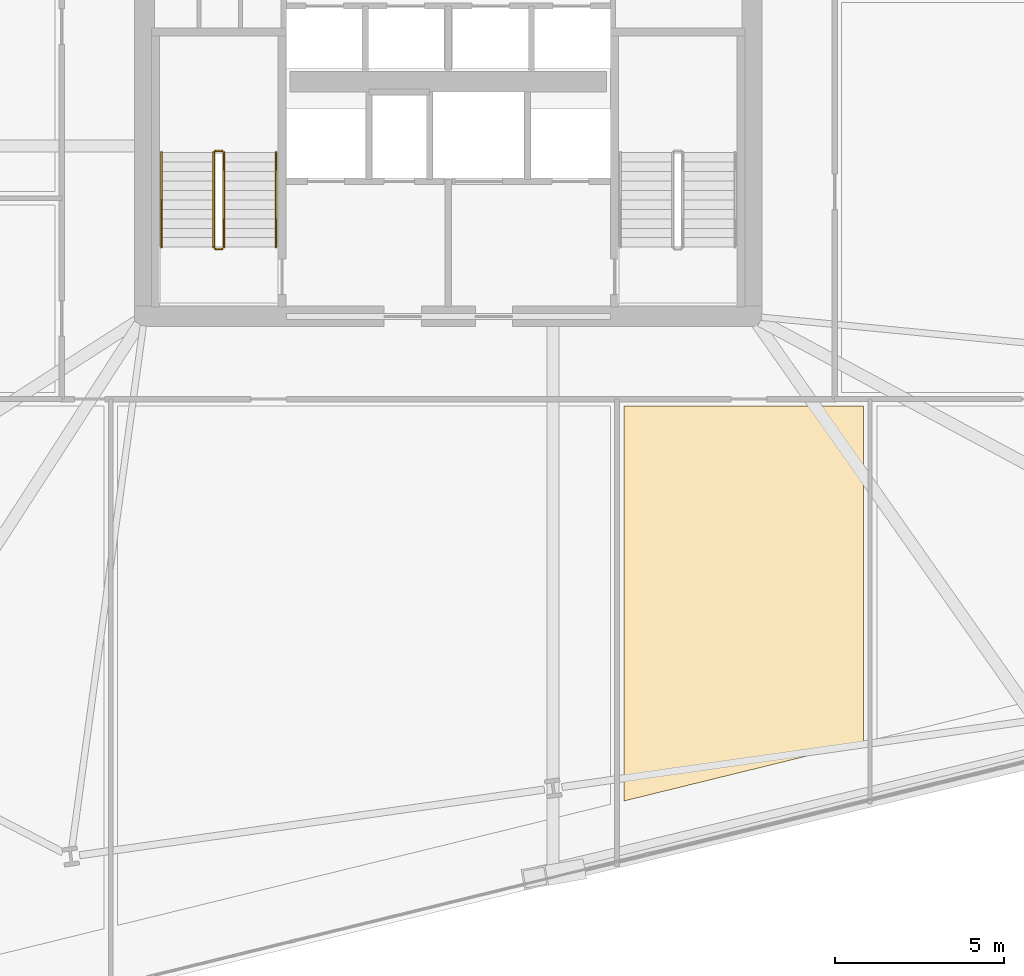
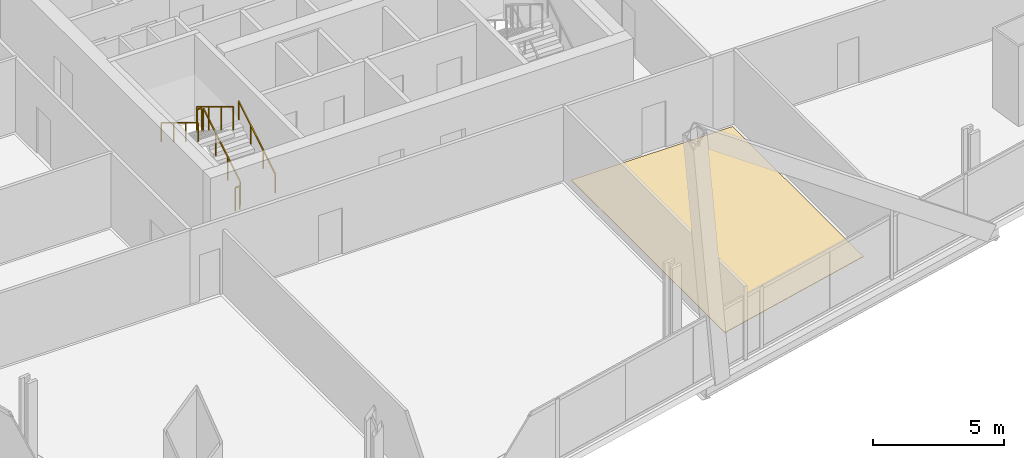
# One storey, part 29 of 32: 6 railings, 1 covering.
"""IFC4 building model written with IfcOpenShell, lengths in metres."""

from ifc_helpers import new_model, si_unit, direction, frame, origin, origin_2d, place, context, subcontext, project, spatial, polyline, rectangle, outline, extrude, material, layer, layer_set, type_object, element, save


model = new_model("IFC4")

# Units and contexts
model_context = context("Model", 3, precision=1e-05, world=origin(), true_north=direction((0.0, 1.0)))
body_context = subcontext(model_context, "Body", "Model", "MODEL_VIEW")
ifc_project = project(units=[si_unit("LENGTHUNIT", "METRE"), si_unit("AREAUNIT", "SQUARE_METRE"), si_unit("VOLUMEUNIT", "CUBIC_METRE"), si_unit("PLANEANGLEUNIT", "RADIAN"), si_unit("MASSUNIT", "GRAM", prefix="KILO")], contexts=[model_context])

# Site, building, storey
site_placement = place(None, origin())
site = spatial("IfcSite", under=ifc_project, at=site_placement, CompositionType="ELEMENT")
building_placement = place(site_placement, origin())
building = spatial("IfcBuilding", under=site, at=building_placement, Name="Haldenkirk Collegiate Tower", CompositionType="ELEMENT")
storey_placement = place(building_placement, frame((0.0, 0.0, 73.949951171875)))
storey = spatial("IfcBuildingStorey", under=building, at=storey_placement, Name="L17", CompositionType="ELEMENT", Elevation=73.949951171875)

# Covering
ifc_material_1 = material(Name="Engineered collegiate oak acoustic flooring", Category="wood")
ifc_layer = layer(ifc_material_1, 0.02197265625)
ifc_layer_set = layer_set([ifc_layer], Name="Engineered collegiate oak acoustic flooring")
covering_type = type_object("IfcCoveringType", Name="COV-FLOOR-TIMBER", PredefinedType="FLOORING", material=ifc_layer_set)
covering_placement = place(storey_placement, origin())
element("IfcCovering", 1, at=covering_placement, inside=storey, type_object=covering_type, Name="L17 academic room finish 03", PredefinedType="FLOORING", context=body_context, shape_type="SweptSolid", body=[
    extrude(outline(polyline([(41.199951171875, 3.639892578125), (41.199951171875, 15.35009765625), (48.300048828125, 15.35009765625), (48.300048828125, 5.3837890625), (41.199951171875, 3.639892578125)])), origin(), (0.0, 0.0, 1.0), 0.02197265625),
])

# Railings
ifc_material_2 = material(Name="Painted architectural tubular steel", Category="steel")
railing_type_1 = type_object("IfcRailingType", Name="RLG-STAIR-GUARD-1100", PredefinedType="BALUSTRADE", material=ifc_material_2)
railing_1_placement = place(storey_placement, frame((29.35009765625, 20.050048828125, 0.17041015625)))
element("IfcRailing", 2, at=railing_1_placement, inside=storey, type_object=railing_type_1, Name="L17 ST-1 stair guard 1", PredefinedType="BALUSTRADE", context=body_context, shape_type="SweptSolid", body=[
    extrude(rectangle(XDim=0.048095703125, YDim=0.048095703125, at=origin_2d()), frame((0.0, 0.0, 1.076171875), z_axis=(0.0, 0.854169791009, 0.51999420009), x_axis=(-1.0, 0.0, 0.0)), (0.0, 0.0, 1.0), 3.278076171875),
    extrude(rectangle(XDim=0.0419921875, YDim=0.0419921875, at=origin_2d()), origin(), (0.0, 0.0, 1.0), 1.052001953125),
    extrude(rectangle(XDim=0.0419921875, YDim=0.0419921875, at=origin_2d()), frame((0.0, 0.933349609375, 0.568115234375)), (0.0, 0.0, 1.0), 1.052001953125),
    extrude(rectangle(XDim=0.0419921875, YDim=0.0419921875, at=origin_2d()), frame((0.0, 1.86669921875, 1.136474609375)), (0.0, 0.0, 1.0), 1.052001953125),
    extrude(rectangle(XDim=0.0419921875, YDim=0.0419921875, at=origin_2d()), frame((0.0, 2.800048828125, 1.70458984375)), (0.0, 0.0, 1.0), 1.052001953125),
])
railing_2_placement = place(storey_placement, frame((29.300048828125, 22.89990234375, 1.875)))
element("IfcRailing", 3, at=railing_2_placement, inside=storey, type_object=railing_type_1, Name="L17 ST-1 stair guard 2", PredefinedType="BALUSTRADE", context=body_context, shape_type="SweptSolid", body=[
    extrude(rectangle(XDim=0.048095703125, YDim=0.048095703125, at=origin_2d()), frame((0.0, 0.0, 1.076171875), z_axis=(-1.0, 0.0, 0.0), x_axis=(0.0, -1.0, 0.0)), (0.0, 0.0, 1.0), 0.199951171875),
    extrude(rectangle(XDim=0.0419921875, YDim=0.0419921875, at=origin_2d()), origin(), (0.0, 0.0, 1.0), 1.052001953125),
    extrude(rectangle(XDim=0.0419921875, YDim=0.0419921875, at=origin_2d()), frame((-0.199951171875, 0.0, 0.0)), (0.0, 0.0, 1.0), 1.052001953125),
])
railing_3_placement = place(storey_placement, frame((29.050048828125, 22.85009765625, 2.04541015625)))
element("IfcRailing", 4, at=railing_3_placement, inside=storey, type_object=railing_type_1, Name="L17 ST-1 stair guard 3", PredefinedType="BALUSTRADE", context=body_context, shape_type="SweptSolid", body=[
    extrude(rectangle(XDim=0.048095703125, YDim=0.048095703125, at=origin_2d()), frame((0.0, 0.0, 1.076171875), z_axis=(0.0, -0.854169791009, 0.51999420009), x_axis=(1.0, 0.0, 0.0)), (0.0, 0.0, 1.0), 3.278076171875),
    extrude(rectangle(XDim=0.0419921875, YDim=0.0419921875, at=origin_2d()), origin(), (0.0, 0.0, 1.0), 1.052001953125),
    extrude(rectangle(XDim=0.0419921875, YDim=0.0419921875, at=origin_2d()), frame((0.0, -0.933349609375, 0.568115234375)), (0.0, 0.0, 1.0), 1.052001953125),
    extrude(rectangle(XDim=0.0419921875, YDim=0.0419921875, at=origin_2d()), frame((0.0, -1.86669921875, 1.136474609375)), (0.0, 0.0, 1.0), 1.052001953125),
    extrude(rectangle(XDim=0.0419921875, YDim=0.0419921875, at=origin_2d()), frame((0.0, -2.800048828125, 1.70458984375)), (0.0, 0.0, 1.0), 1.052001953125),
])
railing_4_placement = place(storey_placement, frame((29.300048828125, 20.0, 0.0)))
element("IfcRailing", 5, at=railing_4_placement, inside=storey, type_object=railing_type_1, Name="L17 ST-1 stair guard 4", PredefinedType="BALUSTRADE", context=body_context, shape_type="SweptSolid", body=[
    extrude(rectangle(XDim=0.048095703125, YDim=0.048095703125, at=origin_2d()), frame((0.0, 0.0, 1.076171875), z_axis=(-1.0, 0.0, 0.0), x_axis=(0.0, -1.0, 0.0)), (0.0, 0.0, 1.0), 0.199951171875),
    extrude(rectangle(XDim=0.0419921875, YDim=0.0419921875, at=origin_2d()), origin(), (0.0, 0.0, 1.0), 1.052001953125),
    extrude(rectangle(XDim=0.0419921875, YDim=0.0419921875, at=origin_2d()), frame((-0.199951171875, 0.0, 0.0)), (0.0, 0.0, 1.0), 1.052001953125),
])
railing_type_2 = type_object("IfcRailingType", Name="RLG-STAIR-HANDRAIL-900", PredefinedType="HANDRAIL", material=ifc_material_2)
railing_5_placement = place(storey_placement, frame((30.89990234375, 20.050048828125, 0.17041015625)))
element("IfcRailing", 6, at=railing_5_placement, inside=storey, type_object=railing_type_2, Name="L17 ST-1 stair handrail 1", PredefinedType="HANDRAIL", context=body_context, shape_type="SweptSolid", body=[
    extrude(rectangle(XDim=0.048095703125, YDim=0.048095703125, at=origin_2d()), frame((0.0, 0.0, 0.8759765625), z_axis=(0.0, 0.854169791009, 0.51999420009), x_axis=(-1.0, 0.0, 0.0)), (0.0, 0.0, 1.0), 3.278076171875),
    extrude(rectangle(XDim=0.0419921875, YDim=0.0419921875, at=origin_2d()), origin(), (0.0, 0.0, 1.0), 0.851806640625),
    extrude(rectangle(XDim=0.0419921875, YDim=0.0419921875, at=origin_2d()), frame((0.0, 0.933349609375, 0.568115234375)), (0.0, 0.0, 1.0), 0.851806640625),
    extrude(rectangle(XDim=0.0419921875, YDim=0.0419921875, at=origin_2d()), frame((0.0, 1.86669921875, 1.136474609375)), (0.0, 0.0, 1.0), 0.851806640625),
    extrude(rectangle(XDim=0.0419921875, YDim=0.0419921875, at=origin_2d()), frame((0.0, 2.800048828125, 1.70458984375)), (0.0, 0.0, 1.0), 0.851806640625),
])
railing_6_placement = place(storey_placement, frame((27.5, 22.85009765625, 2.04541015625)))
element("IfcRailing", 7, at=railing_6_placement, inside=storey, type_object=railing_type_2, Name="L17 ST-1 stair handrail 2", PredefinedType="HANDRAIL", context=body_context, shape_type="SweptSolid", body=[
    extrude(rectangle(XDim=0.048095703125, YDim=0.048095703125, at=origin_2d()), frame((0.0, 0.0, 0.8759765625), z_axis=(0.0, -0.854169791009, 0.51999420009), x_axis=(1.0, 0.0, 0.0)), (0.0, 0.0, 1.0), 3.278076171875),
    extrude(rectangle(XDim=0.0419921875, YDim=0.0419921875, at=origin_2d()), origin(), (0.0, 0.0, 1.0), 0.851806640625),
    extrude(rectangle(XDim=0.0419921875, YDim=0.0419921875, at=origin_2d()), frame((0.0, -0.933349609375, 0.568115234375)), (0.0, 0.0, 1.0), 0.851806640625),
    extrude(rectangle(XDim=0.0419921875, YDim=0.0419921875, at=origin_2d()), frame((0.0, -1.86669921875, 1.136474609375)), (0.0, 0.0, 1.0), 0.851806640625),
    extrude(rectangle(XDim=0.0419921875, YDim=0.0419921875, at=origin_2d()), frame((0.0, -2.800048828125, 1.70458984375)), (0.0, 0.0, 1.0), 0.851806640625),
])

save(model, "model.ifc")
